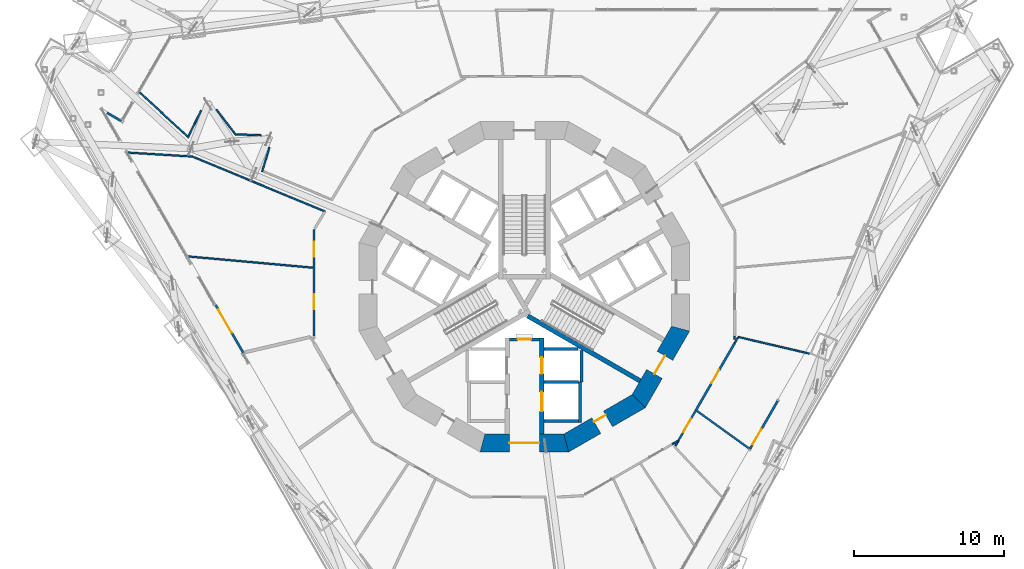
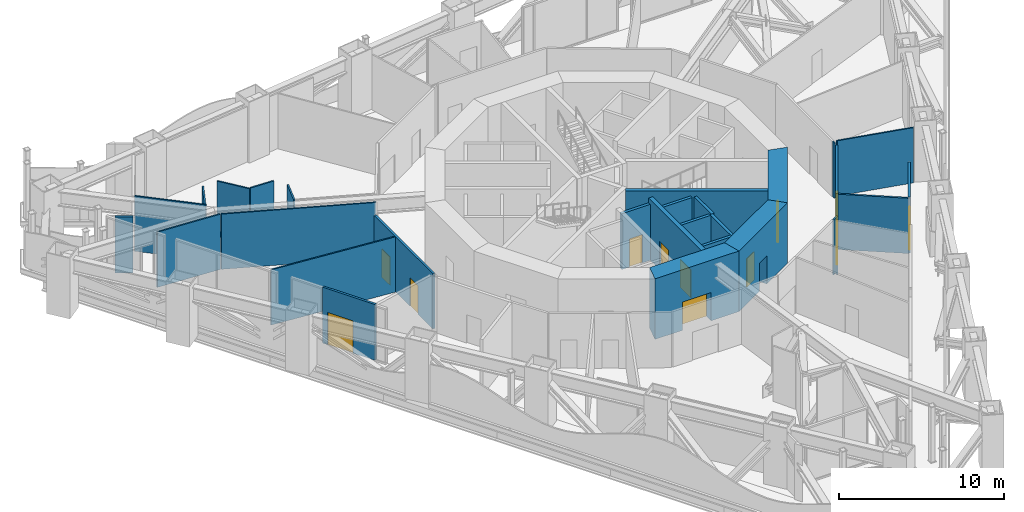
# One storey, part 14 of 28: 31 walls, 12 doors, 12 openings.
"""IFC4 building model written with IfcOpenShell, lengths in metres."""

from ifc_helpers import new_model, si_unit, direction, frame, frame_2d, origin, place, context, subcontext, project, spatial, polyline, rectangle, outline, extrude, material, layer, layer_set, type_object, element, fill, save


model = new_model("IFC4")

# Units and contexts
model_context = context("Model", 3, precision=1e-05, world=origin(), true_north=direction((0.0, 1.0)))
body_context = subcontext(model_context, "Body", "Model", "MODEL_VIEW")
ifc_project = project(units=[si_unit("LENGTHUNIT", "METRE"), si_unit("AREAUNIT", "SQUARE_METRE"), si_unit("VOLUMEUNIT", "CUBIC_METRE"), si_unit("PLANEANGLEUNIT", "RADIAN"), si_unit("MASSUNIT", "GRAM", prefix="KILO")], contexts=[model_context])

# Site, building, storey
site_placement = place(None, origin())
site = spatial("IfcSite", under=ifc_project, at=site_placement, CompositionType="ELEMENT")
building_placement = place(site_placement, origin())
building = spatial("IfcBuilding", under=site, at=building_placement, Name="Trine Commons Tower", CompositionType="ELEMENT")
storey_placement = place(building_placement, frame((0.0, 0.0, 45.89990234375)))
storey = spatial("IfcBuildingStorey", under=building, at=storey_placement, Name="L10", CompositionType="ELEMENT", Elevation=45.89990234375)

# Wall, openings, doors
ifc_material_1 = material(Name="Plasterboard on steel stud", Category="steel")
ifc_layer_1 = layer(ifc_material_1, 0.14990234375)
ifc_layer_set_1 = layer_set([ifc_layer_1], Name="Plasterboard on steel stud")
wall_type_1 = type_object("IfcWallType", Name="Compartment wall 150 mm, EI 60", PredefinedType="PARTITIONING", material=ifc_layer_set_1)
wall_1_placement = place(storey_placement, frame((65.988525390625, 59.21142578125, 0.0), z_axis=(0.0, 0.0, 1.0), x_axis=(0.0, 1.0, 0.0)))
wall_1 = element("IfcWall", 1, at=wall_1_placement, inside=storey, type_object=wall_type_1, Name="Partition A10016", PredefinedType="PARTITIONING", context=body_context, shape_type="SweptSolid", body=[
    extrude(rectangle(XDim=7.117919921875, YDim=0.14990234375, at=frame_2d((3.55908203125, 0.0))), origin(), (0.0, 0.0, 1.0), 4.10009765625),
])
opening_1_placement = place(wall_1_placement, frame((1.77587890625, 0.0, 0.0)))
opening_1 = element("IfcOpeningElement", 2, at=opening_1_placement, cuts=wall_1, Name="Opening D-A1002", PredefinedType="OPENING", context=body_context, shape_type="SweptSolid", body=[
    extrude(rectangle(XDim=1.0, YDim=2.10009765625, at=frame_2d((0.5, 1.050048828125))), frame((0.0, 0.0849609375, 0.0), z_axis=(0.0, -1.0, 0.0), x_axis=(1.0, 0.0, 0.0)), (0.0, 0.0, 1.0), 0.169921875),
])
opening_2_placement = place(wall_1_placement, frame((5.297119140625, 0.0, 0.0)))
opening_2 = element("IfcOpeningElement", 3, at=opening_2_placement, cuts=wall_1, Name="Opening D-A1003", PredefinedType="OPENING", context=body_context, shape_type="SweptSolid", body=[
    extrude(rectangle(XDim=1.0, YDim=2.10009765625, at=frame_2d((0.5, 1.050048828125))), frame((0.0, 0.0849609375, 0.0), z_axis=(0.0, -1.0, 0.0), x_axis=(1.0, 0.0, 0.0)), (0.0, 0.0, 1.0), 0.169921875),
])
ifc_material_2 = material(Name="Timber fire door set", Category="wood")
door_type_1 = type_object("IfcDoorType", Name="Single swing door 1000x2100, FD30S", OperationType="SINGLE_SWING_LEFT", PredefinedType="DOOR", material=ifc_material_2)
door_1_placement = place(opening_1_placement, origin())
door_1 = element("IfcDoor", 4, at=door_1_placement, inside=storey, type_object=door_type_1, Name="Door D-A1002", OperationType="SINGLE_SWING_LEFT", OverallHeight=2.10009765625, OverallWidth=1.0, PredefinedType="DOOR", context=body_context, shape_type="SweptSolid", body=[
    extrude(rectangle(XDim=1.0, YDim=2.10009765625, at=frame_2d((0.5, 1.050048828125))), frame((0.0, 0.02490234375, 0.0), z_axis=(0.0, -1.0, 0.0), x_axis=(1.0, 0.0, 0.0)), (0.0, 0.0, 1.0), 0.050048828125),
])
fill(opening_1, door_1)
door_2_placement = place(opening_2_placement, origin())
door_2 = element("IfcDoor", 5, at=door_2_placement, inside=storey, type_object=door_type_1, Name="Door D-A1003", OperationType="SINGLE_SWING_LEFT", OverallHeight=2.10009765625, OverallWidth=1.0, PredefinedType="DOOR", context=body_context, shape_type="SweptSolid", body=[
    extrude(rectangle(XDim=1.0, YDim=2.10009765625, at=frame_2d((0.5, 1.050048828125))), frame((0.0, 0.02490234375, 0.0), z_axis=(0.0, -1.0, 0.0), x_axis=(1.0, 0.0, 0.0)), (0.0, 0.0, 1.0), 0.050048828125),
])
fill(opening_2, door_2)

# Wall, opening, door
wall_2_placement = place(storey_placement, frame((94.011474609375, 58.74560546875, 0.0), z_axis=(0.0, 0.0, 1.0), x_axis=(-0.499968007698, -0.866043873761, 0.0)))
wall_2 = element("IfcWall", 6, at=wall_2_placement, inside=storey, type_object=wall_type_1, Name="Partition A10056", PredefinedType="PARTITIONING", context=body_context, shape_type="SweptSolid", body=[
    extrude(rectangle(XDim=5.163818359375, YDim=0.14990234375, at=frame_2d((2.58203125, 0.0))), origin(), (0.0, 0.0, 1.0), 4.10009765625),
])
opening_3_placement = place(wall_2_placement, frame((2.08203125, 0.0, 0.0)))
opening_3 = element("IfcOpeningElement", 7, at=opening_3_placement, cuts=wall_2, Name="Opening D-A1018", PredefinedType="OPENING", context=body_context, shape_type="SweptSolid", body=[
    extrude(rectangle(XDim=1.0, YDim=2.10009765625, at=frame_2d((0.5, 1.050048828125))), frame((0.0, 0.0849609375, 0.0), z_axis=(0.0, -1.0, 0.0), x_axis=(1.0, 0.0, 0.0)), (0.0, 0.0, 1.0), 0.169921875),
])
door_3_placement = place(opening_3_placement, origin())
door_3 = element("IfcDoor", 8, at=door_3_placement, inside=storey, type_object=door_type_1, Name="Door D-A1018", OperationType="SINGLE_SWING_LEFT", OverallHeight=2.10009765625, OverallWidth=1.0, PredefinedType="DOOR", context=body_context, shape_type="SweptSolid", body=[
    extrude(rectangle(XDim=1.0, YDim=2.10009765625, at=frame_2d((0.5, 1.050048828125))), frame((0.0, 0.02490234375, 0.0), z_axis=(0.0, -1.0, 0.0), x_axis=(1.0, 0.0, 0.0)), (0.0, 0.0, 1.0), 0.050048828125),
])
fill(opening_3, door_3)

ifc_material_3 = material(Name="Aluminium-framed insulated wall panel", Category="aluminium")
ifc_layer_2 = layer(ifc_material_3, 0.14990234375)
ifc_layer_set_2 = layer_set([ifc_layer_2], Name="Aluminium-framed insulated wall panel")
wall_type_2 = type_object("IfcWallType", Name="Glazed entrance wall 150, EI 60", PredefinedType="SOLIDWALL", material=ifc_layer_set_2)
wall_3_placement = place(storey_placement, frame((96.876708984375, 54.89208984375, 0.0), z_axis=(0.0, 0.0, 1.0), x_axis=(-0.500029062817, -0.866008623709, 0.0)))
wall_3 = element("IfcWall", 9, at=wall_3_placement, inside=storey, type_object=wall_type_2, Name="Glazed entrance wall L10 F2 7", PredefinedType="SOLIDWALL", context=body_context, shape_type="SweptSolid", body=[
    extrude(rectangle(XDim=3.698974609375, YDim=0.14990234375, at=frame_2d((1.849609375, 0.0))), origin(), (0.0, 0.0, 1.0), 4.150146484375),
])
opening_4_placement = place(wall_3_placement, frame((2.1494140625, 0.0, 0.0)))
opening_4 = element("IfcOpeningElement", 10, at=opening_4_placement, cuts=wall_3, Name="Opening SD-L10-F2-07", PredefinedType="OPENING", context=body_context, shape_type="SweptSolid", body=[
    extrude(rectangle(XDim=1.199951171875, YDim=2.39990234375, at=frame_2d((0.60009765625, 1.199951171875))), frame((0.0, 0.0849609375, 0.0), z_axis=(0.0, -1.0, 0.0), x_axis=(1.0, 0.0, 0.0)), (0.0, 0.0, 1.0), 0.169921875),
])
ifc_material_4 = material(Name="Anodised aluminium frame with double glazing", Category="aluminium")
door_type_2 = type_object("IfcDoorType", Name="Sliding door 1200x2400", OperationType="SLIDING_TO_LEFT", PredefinedType="DOOR", material=ifc_material_4)
door_4_placement = place(opening_4_placement, origin())
door_4 = element("IfcDoor", 11, at=door_4_placement, inside=storey, type_object=door_type_2, Name="Loggia door L10 F2 7", OperationType="SLIDING_TO_LEFT", OverallHeight=2.39990234375, OverallWidth=1.199951171875, PredefinedType="DOOR", context=body_context, shape_type="SweptSolid", body=[
    extrude(rectangle(XDim=1.199951171875, YDim=2.39990234375, at=frame_2d((0.60009765625, 1.199951171875))), frame((0.0, 0.02490234375, 0.0), z_axis=(0.0, -1.0, 0.0), x_axis=(1.0, 0.0, 0.0)), (0.0, 0.0, 1.0), 0.050048828125),
])
fill(opening_4, door_4)

wall_4_placement = place(storey_placement, frame((61.274169921875, 58.094970703125, 0.0), z_axis=(0.0, 0.0, 1.0), x_axis=(-0.500029062817, 0.866008623709, 0.0)))
wall_4 = element("IfcWall", 12, at=wall_4_placement, inside=storey, type_object=wall_type_2, Name="Glazed entrance wall L10 F3 9", PredefinedType="SOLIDWALL", context=body_context, shape_type="SweptSolid", body=[
    extrude(rectangle(XDim=3.698974609375, YDim=0.14990234375, at=frame_2d((1.849609375, 0.0))), origin(), (0.0, 0.0, 1.0), 4.150146484375),
])
opening_5_placement = place(wall_4_placement, frame((1.54931640625, 0.0, 0.0)))
opening_5 = element("IfcOpeningElement", 13, at=opening_5_placement, cuts=wall_4, Name="Opening SD-L10-F3-09", PredefinedType="OPENING", context=body_context, shape_type="SweptSolid", body=[
    extrude(rectangle(XDim=1.800048828125, YDim=2.39990234375, at=frame_2d((0.89990234375, 1.199951171875))), frame((0.0, 0.0849609375, 0.0), z_axis=(0.0, -1.0, 0.0), x_axis=(1.0, 0.0, 0.0)), (0.0, 0.0, 1.0), 0.169921875),
])
door_type_3 = type_object("IfcDoorType", Name="Sliding double door 1800x2400", OperationType="DOUBLE_DOOR_SLIDING", PredefinedType="DOOR", material=ifc_material_4)
door_5_placement = place(opening_5_placement, origin())
door_5 = element("IfcDoor", 14, at=door_5_placement, inside=storey, type_object=door_type_3, Name="Loggia door L10 F3 9", OperationType="DOUBLE_DOOR_SLIDING", OverallHeight=2.39990234375, OverallWidth=1.800048828125, PredefinedType="DOOR", context=body_context, shape_type="SweptSolid", body=[
    extrude(rectangle(XDim=1.800048828125, YDim=2.39990234375, at=frame_2d((0.89990234375, 1.199951171875))), frame((0.0, 0.02490234375, 0.0), z_axis=(0.0, -1.0, 0.0), x_axis=(1.0, 0.0, 0.0)), (0.0, 0.0, 1.0), 0.050048828125),
])
fill(opening_5, door_5)

# Wall
ifc_layer_3 = layer(ifc_material_3, 0.14990234375)
ifc_layer_set_3 = layer_set([ifc_layer_3], Name="Aluminium-framed insulated wall panel")
wall_type_3 = type_object("IfcWallType", Name="Glazed frame wall 150, EI 60", PredefinedType="SOLIDWALL", material=ifc_layer_set_3)
wall_5_placement = place(storey_placement, frame((52.074462890625, 74.159912109375, 0.0), z_axis=(0.0, 0.0, 1.0), x_axis=(0.865989100438, -0.500062873969, 0.0)))
element("IfcWall", 15, at=wall_5_placement, inside=storey, type_object=wall_type_3, Name="Glazed frame wall L10 R1", PredefinedType="SOLIDWALL", context=body_context, shape_type="SweptSolid", body=[
    extrude(outline(polyline([(0.1494140625, 0.074951171875), (0.1494140625, -0.074951171875), (1.235107421875, -0.074951171875), (1.235107421875, 0.074951171875), (0.1494140625, 0.074951171875)])), origin(), (0.0, 0.0, 1.0), 4.150146484375),
])

# Wall, opening, door
ifc_material_5 = material(Name="Fire-rated gypsum shaft wall system")
ifc_layer_4 = layer(ifc_material_5, 0.199951171875)
ifc_layer_set_4 = layer_set([ifc_layer_4], Name="Fire-rated gypsum shaft wall system")
wall_type_4 = type_object("IfcWallType", Name="Lobby end wall 200 mm, EI 120", PredefinedType="PARTITIONING", material=ifc_layer_set_4)
wall_6_placement = place(storey_placement, frame((79.0, 59.0, 0.0), z_axis=(0.0, 0.0, 1.0), x_axis=(1.0, 0.0, 0.0)))
wall_6 = element("IfcWall", 16, at=wall_6_placement, inside=storey, type_object=wall_type_4, Name="Lobby end wall L10", PredefinedType="PARTITIONING", context=body_context, shape_type="SweptSolid", body=[
    extrude(rectangle(XDim=2.0, YDim=0.199951171875, at=frame_2d((1.0, 0.0))), origin(), (0.0, 0.0, 1.0), 4.150146484375),
])
opening_6_placement = place(wall_6_placement, frame((0.550048828125, 0.0, 0.0)))
opening_6 = element("IfcOpeningElement", 17, at=opening_6_placement, cuts=wall_6, Name="Opening K05.09", PredefinedType="OPENING", context=body_context, shape_type="SweptSolid", body=[
    extrude(rectangle(XDim=0.89990234375, YDim=2.10009765625, at=frame_2d((0.449951171875, 1.050048828125))), frame((0.0, 0.10986328125, 0.0), z_axis=(0.0, -1.0, 0.0), x_axis=(1.0, 0.0, 0.0)), (0.0, 0.0, 1.0), 0.219970703125),
])
ifc_material_6 = material(Name="Steel door leaf, fire-rated", Category="steel")
door_type_4 = type_object("IfcDoorType", Name="Riser access door, single leaf 900 x 2100, FD60", OperationType="SINGLE_SWING_LEFT", PredefinedType="DOOR", material=ifc_material_6)
door_6_placement = place(opening_6_placement, frame((0.89990234375, 0.0, 0.0), z_axis=(0.0, 0.0, 1.0), x_axis=(-1.0, 0.0, 0.0)))
door_6 = element("IfcDoor", 18, at=door_6_placement, inside=storey, type_object=door_type_4, Name="Riser door, Communications riser L10", OperationType="SINGLE_SWING_RIGHT", OverallHeight=2.10009765625, OverallWidth=0.89990234375, PredefinedType="DOOR", context=body_context, shape_type="SweptSolid", body=[
    extrude(rectangle(XDim=0.89990234375, YDim=2.10009765625, at=frame_2d((0.449951171875, 1.050048828125))), frame((0.0, 0.02490234375, 0.0), z_axis=(0.0, -1.0, 0.0), x_axis=(1.0, 0.0, 0.0)), (0.0, 0.0, 1.0), 0.050048828125),
])
fill(opening_6, door_6)

# Walls
ifc_layer_5 = layer(ifc_material_1, 0.10009765625)
ifc_layer_set_5 = layer_set([ifc_layer_5], Name="Plasterboard on steel stud")
wall_type_5 = type_object("IfcWallType", Name="Partition wall 100 mm stud, not rated", PredefinedType="PARTITIONING", material=ifc_layer_set_5)
wall_7_placement = place(storey_placement, frame((53.6142578125, 71.436279296875, 0.0), z_axis=(0.0, 0.0, 1.0), x_axis=(0.998148011638, -0.060832120317, 0.0)))
element("IfcWall", 19, at=wall_7_placement, inside=storey, type_object=wall_type_5, Name="Partition A10001", PredefinedType="PARTITIONING", context=body_context, shape_type="SweptSolid", body=[
    extrude(rectangle(XDim=4.286376953125, YDim=0.10009765625, at=frame_2d((2.14306640625, 0.0))), origin(), (0.0, 0.0, 1.0), 4.10009765625),
])
wall_8_placement = place(storey_placement, frame((54.36767578125, 75.438232421875, 0.0), z_axis=(0.0, 0.0, 1.0), x_axis=(0.738110213239, -0.674680156157, 0.0)))
element("IfcWall", 20, at=wall_8_placement, inside=storey, type_object=wall_type_5, Name="Partition A10002", PredefinedType="PARTITIONING", context=body_context, shape_type="SweptSolid", body=[
    extrude(rectangle(XDim=4.43798828125, YDim=0.10009765625, at=frame_2d((2.218994140625, 0.0))), origin(), (0.0, 0.0, 1.0), 4.10009765625),
])
wall_9_placement = place(storey_placement, frame((57.60546875, 64.51904296875, 0.0), z_axis=(0.0, 0.0, 1.0), x_axis=(0.99596133037, -0.0897832301, 0.0)))
element("IfcWall", 21, at=wall_9_placement, inside=storey, type_object=wall_type_5, Name="Partition A10004", PredefinedType="PARTITIONING", context=body_context, shape_type="SweptSolid", body=[
    extrude(rectangle(XDim=8.337158203125, YDim=0.10009765625, at=frame_2d((4.16845703125, 0.0))), origin(), (0.0, 0.0, 1.0), 4.10009765625),
])
wall_10_placement = place(storey_placement, frame((57.632568359375, 72.546630859375, 0.0), z_axis=(0.0, 0.0, 1.0), x_axis=(0.439561720104, 0.898212388146, 0.0)))
element("IfcWall", 22, at=wall_10_placement, inside=storey, type_object=wall_type_5, Name="Partition A10005", PredefinedType="PARTITIONING", context=body_context, shape_type="SweptSolid", body=[
    extrude(rectangle(XDim=1.892822265625, YDim=0.10009765625, at=frame_2d((0.9462890625, 0.0))), origin(), (0.0, 0.0, 1.0), 4.10009765625),
])
wall_11_placement = place(storey_placement, frame((57.955078125, 71.144287109375, 0.0), z_axis=(0.0, 0.0, 1.0), x_axis=(0.923875603253, -0.382692918296, 0.0)))
element("IfcWall", 23, at=wall_11_placement, inside=storey, type_object=wall_type_5, Name="Partition A10006", PredefinedType="PARTITIONING", context=body_context, shape_type="SweptSolid", body=[
    extrude(rectangle(XDim=9.481201171875, YDim=0.10009765625, at=frame_2d((4.74072265625, 0.0))), origin(), (0.0, 0.0, 1.0), 4.10009765625),
])
wall_12_placement = place(storey_placement, frame((59.4912109375, 74.30078125, 0.0), z_axis=(0.0, 0.0, 1.0), x_axis=(0.609456916892, -0.792819189003, 0.0)))
element("IfcWall", 24, at=wall_12_placement, inside=storey, type_object=wall_type_5, Name="Partition A10007", PredefinedType="PARTITIONING", context=body_context, shape_type="SweptSolid", body=[
    extrude(rectangle(XDim=2.138427734375, YDim=0.10009765625, at=frame_2d((1.0693359375, 0.0))), origin(), (0.0, 0.0, 1.0), 4.10009765625),
])
wall_13_placement = place(storey_placement, frame((60.851806640625, 72.6533203125, 0.0), z_axis=(0.0, 0.0, 1.0), x_axis=(0.999286181546, -0.03777733939, 0.0)))
element("IfcWall", 25, at=wall_13_placement, inside=storey, type_object=wall_type_5, Name="Partition A10008", PredefinedType="PARTITIONING", context=body_context, shape_type="SweptSolid", body=[
    extrude(rectangle(XDim=1.61572265625, YDim=0.10009765625, at=frame_2d((0.807861328125, 0.0))), origin(), (0.0, 0.0, 1.0), 4.10009765625),
])
wall_14_placement = place(storey_placement, frame((62.531494140625, 70.168701171875, 0.0), z_axis=(0.0, 0.0, 1.0), x_axis=(0.284113019381, 0.958790796899, 0.0)))
element("IfcWall", 26, at=wall_14_placement, inside=storey, type_object=wall_type_5, Name="Partition A10010", PredefinedType="PARTITIONING", context=body_context, shape_type="SweptSolid", body=[
    extrude(rectangle(XDim=1.683349609375, YDim=0.10009765625, at=frame_2d((0.841796875, 0.0))), origin(), (0.0, 0.0, 1.0), 4.10009765625),
])
wall_15_placement = place(storey_placement, frame((89.855224609375, 52.0107421875, 0.0), z_axis=(0.0, 0.0, 1.0), x_axis=(0.866079547155, 0.499906209203, 0.0)))
element("IfcWall", 27, at=wall_15_placement, inside=storey, type_object=wall_type_5, Name="Partition A10049", PredefinedType="PARTITIONING", context=body_context, shape_type="SweptSolid", body=[
    extrude(rectangle(XDim=0.4599609375, YDim=0.10009765625, at=frame_2d((0.22998046875, 0.0))), origin(), (0.0, 0.0, 1.0), 4.10009765625),
])
wall_16_placement = place(storey_placement, frame((94.011474609375, 58.986328125, 0.0), z_axis=(0.0, 0.0, 1.0), x_axis=(0.0, 1.0, 0.0)))
element("IfcWall", 28, at=wall_16_placement, inside=storey, type_object=wall_type_5, Name="Partition A10059", PredefinedType="PARTITIONING", context=body_context, shape_type="SweptSolid", body=[
    extrude(rectangle(XDim=0.2236328125, YDim=0.10009765625, at=frame_2d((0.11181640625, 0.0))), origin(), (0.0, 0.0, 1.0), 4.10009765625),
])
wall_17_placement = place(storey_placement, frame((94.013671875, 58.7490234375, 0.0), z_axis=(0.0, 0.0, 1.0), x_axis=(0.499489419809, 0.866319986782, 0.0)))
element("IfcWall", 29, at=wall_17_placement, inside=storey, type_object=wall_type_5, Name="Partition A10062", PredefinedType="PARTITIONING", context=body_context, shape_type="SweptSolid", body=[
    extrude(rectangle(XDim=0.42333984375, YDim=0.10009765625, at=frame_2d((0.211669921875, 0.0))), origin(), (0.0, 0.0, 1.0), 4.10009765625),
])
wall_18_placement = place(storey_placement, frame((94.248779296875, 59.156494140625, 0.0), z_axis=(0.0, 0.0, 1.0), x_axis=(0.973557892072, -0.228440431588, 0.0)))
element("IfcWall", 30, at=wall_18_placement, inside=storey, type_object=wall_type_5, Name="Partition A10063", PredefinedType="PARTITIONING", context=body_context, shape_type="SweptSolid", body=[
    extrude(rectangle(XDim=4.86279296875, YDim=0.10009765625, at=frame_2d((2.431396484375, 0.0))), origin(), (0.0, 0.0, 1.0), 4.10009765625),
])

# Wall, opening, door
ifc_material_7 = material(Name="Concrete C80/95", Category="concrete")
ifc_layer_6 = layer(ifc_material_7, 1.199951171875)
ifc_layer_set_6 = layer_set([ifc_layer_6], Name="Concrete C80/95")
wall_type_6 = type_object("IfcWallType", Name="RC shear wall 1200 mm, C80/95", PredefinedType="SHEAR", material=ifc_layer_set_6)
wall_19_placement = place(storey_placement, frame((77.049560546875, 52.08837890625, 0.0), z_axis=(0.0, 0.0, 1.0), x_axis=(1.0, 0.0, 0.0)))
wall_19 = element("IfcWall", 31, at=wall_19_placement, inside=storey, type_object=wall_type_6, Name="Core wall CWB-10 L10", PredefinedType="SHEAR", context=body_context, shape_type="SweptSolid", body=[
    extrude(outline(polyline([(0.0, -0.60009765625), (5.90087890625, -0.60009765625), (5.57958984375, 0.60009765625), (0.321533203125, 0.60009765625), (0.0, -0.60009765625)])), origin(), (0.0, 0.0, 1.0), 4.5),
])
opening_7_placement = place(wall_19_placement, frame((1.950439453125, 0.0, 0.0)))
opening_7 = element("IfcOpeningElement", 32, at=opening_7_placement, cuts=wall_19, Name="Opening K05.08", PredefinedType="OPENING", context=body_context, shape_type="SweptSolid", body=[
    extrude(rectangle(XDim=2.0, YDim=2.10009765625, at=frame_2d((1.0, 1.050048828125))), frame((0.0, 0.60986328125, 0.0), z_axis=(0.0, -1.0, 0.0), x_axis=(1.0, 0.0, 0.0)), (0.0, 0.0, 1.0), 1.219970703125),
])
ifc_material_8 = material(Name="Steel door leaves, fire-rated", Category="steel")
door_type_5 = type_object("IfcDoorType", Name="Lobby door, double leaf 2000 x 2100, FD60", OperationType="DOUBLE_DOOR_SINGLE_SWING", PredefinedType="DOOR", material=ifc_material_8)
door_7_placement = place(opening_7_placement, origin())
door_7 = element("IfcDoor", 33, at=door_7_placement, inside=storey, type_object=door_type_5, Name="Lobby door, Service and firefighting lobby L10", OperationType="DOUBLE_DOOR_SINGLE_SWING", OverallHeight=2.10009765625, OverallWidth=2.0, PredefinedType="DOOR", context=body_context, shape_type="SweptSolid", body=[
    extrude(rectangle(XDim=2.0, YDim=2.10009765625, at=frame_2d((1.0, 1.050048828125))), frame((0.0, 0.02490234375, 0.0), z_axis=(0.0, -1.0, 0.0), x_axis=(1.0, 0.0, 0.0)), (0.0, 0.0, 1.0), 0.050048828125),
])
fill(opening_7, door_7)

wall_20_placement = place(storey_placement, frame((82.650390625, 52.008056640625, 0.0), z_axis=(0.0, 0.0, 1.0), x_axis=(0.866037463336, 0.499979111662, 0.0)))
wall_20 = element("IfcWall", 34, at=wall_20_placement, inside=storey, type_object=wall_type_6, Name="Core wall CWB-11 L10", PredefinedType="SHEAR", context=body_context, shape_type="SweptSolid", body=[
    extrude(outline(polyline([(0.0, -0.60009765625), (5.901123046875, -0.60009765625), (5.57958984375, 0.60009765625), (0.321533203125, 0.60009765625), (0.0, -0.60009765625)])), origin(), (0.0, 0.0, 1.0), 4.5),
])
opening_8_placement = place(wall_20_placement, frame((2.474853515625, 0.0, 0.0)))
opening_8 = element("IfcOpeningElement", 35, at=opening_8_placement, cuts=wall_20, Name="Opening K05.15", PredefinedType="OPENING", context=body_context, shape_type="SweptSolid", body=[
    extrude(rectangle(XDim=0.89990234375, YDim=2.10009765625, at=frame_2d((0.449951171875, 1.050048828125))), frame((0.0, 0.60986328125, 0.0), z_axis=(0.0, -1.0, 0.0), x_axis=(1.0, 0.0, 0.0)), (0.0, 0.0, 1.0), 1.219970703125),
])
door_type_6 = type_object("IfcDoorType", Name="Core room door, single leaf 900 x 2100, FD30S", OperationType="SINGLE_SWING_LEFT", PredefinedType="DOOR", material=ifc_material_6)
door_8_placement = place(opening_8_placement, origin())
door_8 = element("IfcDoor", 36, at=door_8_placement, inside=storey, type_object=door_type_6, Name="Door to Core WC L10", OperationType="SINGLE_SWING_LEFT", OverallHeight=2.10009765625, OverallWidth=0.89990234375, PredefinedType="DOOR", context=body_context, shape_type="SweptSolid", body=[
    extrude(rectangle(XDim=0.89990234375, YDim=2.10009765625, at=frame_2d((0.449951171875, 1.050048828125))), frame((0.0, 0.3251953125, 0.0), z_axis=(0.0, -1.0, 0.0), x_axis=(1.0, 0.0, 0.0)), (0.0, 0.0, 1.0), 0.050048828125),
])
fill(opening_8, door_8)

wall_21_placement = place(storey_placement, frame((87.54150390625, 54.739013671875, 0.0), z_axis=(0.0, 0.0, 1.0), x_axis=(0.499979111662, 0.866037463336, 0.0)))
wall_21 = element("IfcWall", 37, at=wall_21_placement, inside=storey, type_object=wall_type_6, Name="Core wall CWB-12 L10", PredefinedType="SHEAR", context=body_context, shape_type="SweptSolid", body=[
    extrude(outline(polyline([(0.0, -0.60009765625), (5.901123046875, -0.60009765625), (5.57958984375, 0.60009765625), (0.321533203125, 0.60009765625), (0.0, -0.60009765625)])), origin(), (0.0, 0.0, 1.0), 4.5),
])
opening_9_placement = place(wall_21_placement, frame((2.25048828125, 0.0, 0.0)))
opening_9 = element("IfcOpeningElement", 38, at=opening_9_placement, cuts=wall_21, Name="Opening K05.03", PredefinedType="OPENING", context=body_context, shape_type="SweptSolid", body=[
    extrude(rectangle(XDim=1.39990234375, YDim=2.10009765625, at=frame_2d((0.699951171875, 1.050048828125))), frame((0.0, 0.60986328125, 0.0), z_axis=(0.0, -1.0, 0.0), x_axis=(1.0, 0.0, 0.0)), (0.0, 0.0, 1.0), 1.219970703125),
])
door_type_7 = type_object("IfcDoorType", Name="Stair door, double leaf 1400 x 2100, FD90", OperationType="DOUBLE_DOOR_SINGLE_SWING", PredefinedType="DOOR", material=ifc_material_8)
door_9_placement = place(opening_9_placement, origin())
door_9 = element("IfcDoor", 39, at=door_9_placement, inside=storey, type_object=door_type_7, Name="Stair door to Exit stair ST3A L10", OperationType="DOUBLE_DOOR_SINGLE_SWING", OverallHeight=2.10009765625, OverallWidth=1.39990234375, PredefinedType="DOOR", context=body_context, shape_type="SweptSolid", body=[
    extrude(rectangle(XDim=1.39990234375, YDim=2.10009765625, at=frame_2d((0.699951171875, 1.050048828125))), frame((0.0, 0.02490234375, 0.0), z_axis=(0.0, -1.0, 0.0), x_axis=(1.0, 0.0, 0.0)), (0.0, 0.0, 1.0), 0.050048828125),
])
fill(opening_9, door_9)

# Wall, openings, doors
ifc_layer_7 = layer(ifc_material_7, 0.300048828125)
ifc_layer_set_7 = layer_set([ifc_layer_7], Name="Concrete C80/95")
wall_type_7 = type_object("IfcWallType", Name="RC shear wall 300 mm, C80/95", PredefinedType="SHEAR", material=ifc_layer_set_7)
wall_22_placement = place(storey_placement, frame((81.14990234375, 59.10009765625, 0.0), z_axis=(0.0, 0.0, 1.0), x_axis=(0.0, -1.0, 0.0)))
wall_22 = element("IfcWall", 40, at=wall_22_placement, inside=storey, type_object=wall_type_7, Name="Core cross wall SWA-04 L10", PredefinedType="SHEAR", context=body_context, shape_type="SweptSolid", body=[
    extrude(rectangle(XDim=6.412109375, YDim=0.300048828125, at=frame_2d((3.2060546875, 0.0))), origin(), (0.0, 0.0, 1.0), 4.5),
])
opening_10_placement = place(wall_22_placement, frame((3.60009765625, 0.0, 0.0)))
opening_10 = element("IfcOpeningElement", 41, at=opening_10_placement, cuts=wall_22, Name="Opening LD11", PredefinedType="OPENING", context=body_context, shape_type="SweptSolid", body=[
    extrude(rectangle(XDim=1.300048828125, YDim=2.10009765625, at=frame_2d((0.64990234375, 1.050048828125))), frame((0.0, 0.159912109375, 0.0), z_axis=(0.0, -1.0, 0.0), x_axis=(1.0, 0.0, 0.0)), (0.0, 0.0, 1.0), 0.320068359375),
])
opening_11_placement = place(wall_22_placement, frame((1.300048828125, 0.0, 0.0)))
opening_11 = element("IfcOpeningElement", 42, at=opening_11_placement, cuts=wall_22, Name="Opening LD9", PredefinedType="OPENING", context=body_context, shape_type="SweptSolid", body=[
    extrude(rectangle(XDim=1.10009765625, YDim=2.10009765625, at=frame_2d((0.550048828125, 1.050048828125))), frame((0.0, 0.159912109375, 0.0), z_axis=(0.0, -1.0, 0.0), x_axis=(1.0, 0.0, 0.0)), (0.0, 0.0, 1.0), 0.320068359375),
])
ifc_material_9 = material(Name="Stainless steel sliding door leaves", Category="steel")
door_type_8 = type_object("IfcDoorType", Name="Lift landing door, centre-opening sliding 1100 x 2100, FD90", OperationType="DOUBLE_DOOR_SLIDING", PredefinedType="DOOR", material=ifc_material_9)
door_10_placement = place(opening_11_placement, origin())
door_10 = element("IfcDoor", 43, at=door_10_placement, inside=storey, type_object=door_type_8, Name="Lift landing door FF1 L10", OperationType="DOUBLE_DOOR_SLIDING", OverallHeight=2.10009765625, OverallWidth=1.10009765625, PredefinedType="DOOR", context=body_context, shape_type="SweptSolid", body=[
    extrude(rectangle(XDim=1.10009765625, YDim=2.10009765625, at=frame_2d((0.550048828125, 1.050048828125))), frame((0.0, 0.02490234375, 0.0), z_axis=(0.0, -1.0, 0.0), x_axis=(1.0, 0.0, 0.0)), (0.0, 0.0, 1.0), 0.050048828125),
])
fill(opening_11, door_10)
door_type_9 = type_object("IfcDoorType", Name="Lift landing door, centre-opening sliding 1300 x 2100, FD90", OperationType="DOUBLE_DOOR_SLIDING", PredefinedType="DOOR", material=ifc_material_9)
door_11_placement = place(opening_10_placement, origin())
door_11 = element("IfcDoor", 44, at=door_11_placement, inside=storey, type_object=door_type_9, Name="Lift landing door G1 L10", OperationType="DOUBLE_DOOR_SLIDING", OverallHeight=2.10009765625, OverallWidth=1.300048828125, PredefinedType="DOOR", context=body_context, shape_type="SweptSolid", body=[
    extrude(rectangle(XDim=1.300048828125, YDim=2.10009765625, at=frame_2d((0.64990234375, 1.050048828125))), frame((0.0, 0.02490234375, 0.0), z_axis=(0.0, -1.0, 0.0), x_axis=(1.0, 0.0, 0.0)), (0.0, 0.0, 1.0), 0.050048828125),
])
fill(opening_10, door_11)

# Walls
wall_23_placement = place(storey_placement, frame((80.22509765625, 60.552001953125, 0.0), z_axis=(0.0, 0.0, 1.0), x_axis=(0.865965399159, -0.500103916661, 0.0)))
element("IfcWall", 45, at=wall_23_placement, inside=storey, type_object=wall_type_7, Name="Core cross wall SWA-13 L10", PredefinedType="SHEAR", context=body_context, shape_type="SweptSolid", body=[
    extrude(rectangle(XDim=8.642333984375, YDim=0.300048828125, at=frame_2d((4.3212890625, 0.0))), origin(), (0.0, 0.0, 1.0), 4.5),
])
ifc_layer_8 = layer(ifc_material_5, 0.199951171875)
ifc_layer_set_8 = layer_set([ifc_layer_8], Name="Fire-rated gypsum shaft wall system")
wall_type_8 = type_object("IfcWallType", Name="Shaft wall 200 mm, EI 120", PredefinedType="PARTITIONING", material=ifc_layer_set_8)
for number, where, z_axis, x_axis, name in (
    (46, (81.300048828125, 53.550048828125, 0.0), (0.0, 0.0, 1.0), (1.0, 0.0, 0.0), "Shaft wall L10"),
    (47, (81.300048828125, 56.14990234375, 0.0), (0.0, 0.0, 1.0), (1.0, 0.0, 0.0), "Shaft wall L10"),
):
    element("IfcWall", number, at=place(storey_placement, frame(where, z_axis=z_axis, x_axis=x_axis)), inside=storey, type_object=wall_type_8, Name=name, PredefinedType="PARTITIONING", context=body_context, shape_type="SweptSolid", body=[
        extrude(rectangle(XDim=2.300048828125, YDim=0.199951171875, at=frame_2d((1.14990234375, 0.0))), origin(), (0.0, 0.0, 1.0), 4.150146484375),
    ])
wall_24_placement = place(storey_placement, frame((81.300048828125, 58.35009765625, 0.0), z_axis=(0.0, 0.0, 1.0), x_axis=(1.0, 0.0, 0.0)))
element("IfcWall", 48, at=wall_24_placement, inside=storey, type_object=wall_type_8, Name="Shaft wall L10", PredefinedType="PARTITIONING", context=body_context, shape_type="SweptSolid", body=[
    extrude(rectangle(XDim=2.264892578125, YDim=0.199951171875, at=frame_2d((1.13232421875, 0.0))), origin(), (0.0, 0.0, 1.0), 4.150146484375),
])
wall_25_placement = place(storey_placement, frame((83.699951171875, 56.14990234375, 0.0), z_axis=(0.0, 0.0, 1.0), x_axis=(0.0, -1.0, 0.0)))
element("IfcWall", 49, at=wall_25_placement, inside=storey, type_object=wall_type_8, Name="Shaft wall L10", PredefinedType="PARTITIONING", context=body_context, shape_type="SweptSolid", body=[
    extrude(rectangle(XDim=2.699951171875, YDim=0.199951171875, at=frame_2d((1.35009765625, 0.0))), origin(), (0.0, 0.0, 1.0), 4.150146484375),
])
wall_26_placement = place(storey_placement, frame((83.800048828125, 58.256103515625, 0.0), z_axis=(0.0, 0.0, 1.0), x_axis=(0.0, -1.0, 0.0)))
element("IfcWall", 50, at=wall_26_placement, inside=storey, type_object=wall_type_8, Name="Shaft wall L10", PredefinedType="PARTITIONING", context=body_context, shape_type="SweptSolid", body=[
    extrude(rectangle(XDim=2.106201171875, YDim=0.199951171875, at=frame_2d((1.05322265625, 0.0))), origin(), (0.0, 0.0, 1.0), 4.150146484375),
])
ifc_layer_9 = layer(ifc_material_1, 0.125)
ifc_layer_set_9 = layer_set([ifc_layer_9], Name="Plasterboard on steel stud")
wall_type_9 = type_object("IfcWallType", Name="Wet wall 125 mm stud, not rated", PredefinedType="PARTITIONING", material=ifc_layer_set_9)
wall_27_placement = place(storey_placement, frame((90.063232421875, 51.906982421875, 0.0), z_axis=(0.0, 0.0, 1.0), x_axis=(0.500107979177, 0.865963053002, 0.0)))
element("IfcWall", 51, at=wall_27_placement, inside=storey, type_object=wall_type_9, Name="Partition A10051", PredefinedType="PARTITIONING", context=body_context, shape_type="SweptSolid", body=[
    extrude(rectangle(XDim=0.3837890625, YDim=0.125, at=frame_2d((0.19189453125, 0.0))), origin(), (0.0, 0.0, 1.0), 4.10009765625),
])

# Wall, opening, door
wall_28_placement = place(storey_placement, frame((91.4296875, 54.27392578125, 0.0), z_axis=(0.0, 0.0, 1.0), x_axis=(-0.500001804394, -0.866024362014, 0.0)))
wall_28 = element("IfcWall", 52, at=wall_28_placement, inside=storey, type_object=wall_type_9, Name="Partition A10052", PredefinedType="PARTITIONING", context=body_context, shape_type="SweptSolid", body=[
    extrude(rectangle(XDim=2.34521484375, YDim=0.125, at=frame_2d((1.172607421875, 0.0))), origin(), (0.0, 0.0, 1.0), 4.10009765625),
])
opening_12_placement = place(wall_28_placement, frame((0.672607421875, 0.0, 0.0)))
opening_12 = element("IfcOpeningElement", 53, at=opening_12_placement, cuts=wall_28, Name="Opening D-A1015", PredefinedType="OPENING", context=body_context, shape_type="SweptSolid", body=[
    extrude(rectangle(XDim=1.0, YDim=2.10009765625, at=frame_2d((0.5, 1.050048828125))), frame((0.0, 0.072509765625, 0.0), z_axis=(0.0, -1.0, 0.0), x_axis=(1.0, 0.0, 0.0)), (0.0, 0.0, 1.0), 0.14501953125),
])
ifc_material_10 = material(Name="Painted timber", Category="wood")
door_type_10 = type_object("IfcDoorType", Name="Single swing door 1000x2100, not rated", OperationType="SINGLE_SWING_LEFT", PredefinedType="DOOR", material=ifc_material_10)
door_12_placement = place(opening_12_placement, origin())
door_12 = element("IfcDoor", 54, at=door_12_placement, inside=storey, type_object=door_type_10, Name="Door D-A1015", OperationType="SINGLE_SWING_LEFT", OverallHeight=2.10009765625, OverallWidth=1.0, PredefinedType="DOOR", context=body_context, shape_type="SweptSolid", body=[
    extrude(rectangle(XDim=1.0, YDim=2.10009765625, at=frame_2d((0.5, 1.050048828125))), frame((0.0, 0.02490234375, 0.0), z_axis=(0.0, -1.0, 0.0), x_axis=(1.0, 0.0, 0.0)), (0.0, 0.0, 1.0), 0.050048828125),
])
fill(opening_12, door_12)

# Wall
wall_29_placement = place(storey_placement, frame((91.49609375, 54.22607421875, 0.0), z_axis=(0.0, 0.0, 1.0), x_axis=(0.811636315479, -0.584163069181, 0.0)))
element("IfcWall", 55, at=wall_29_placement, inside=storey, type_object=wall_type_9, Name="Partition A10057", PredefinedType="PARTITIONING", context=body_context, shape_type="SweptSolid", body=[
    extrude(rectangle(XDim=4.3134765625, YDim=0.125, at=frame_2d((2.15673828125, 0.0))), origin(), (0.0, 0.0, 1.0), 4.10009765625),
])

save(model, "model.ifc")
